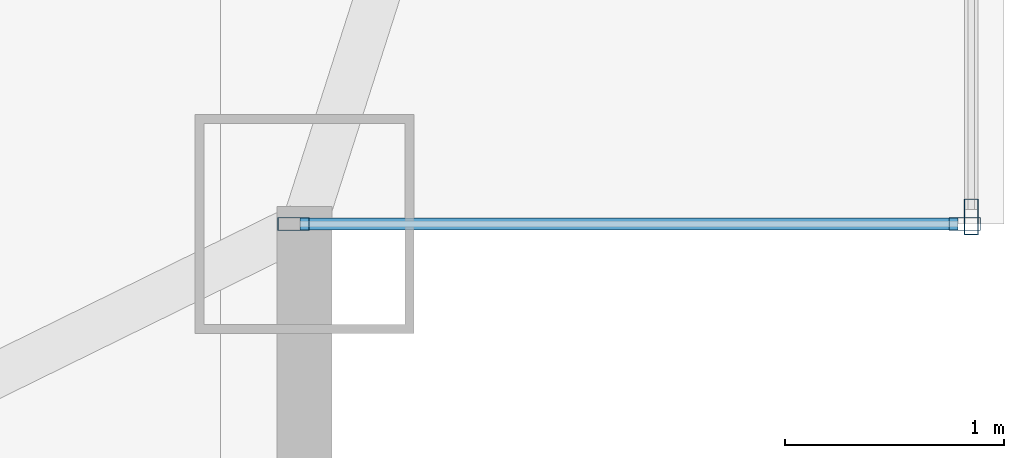
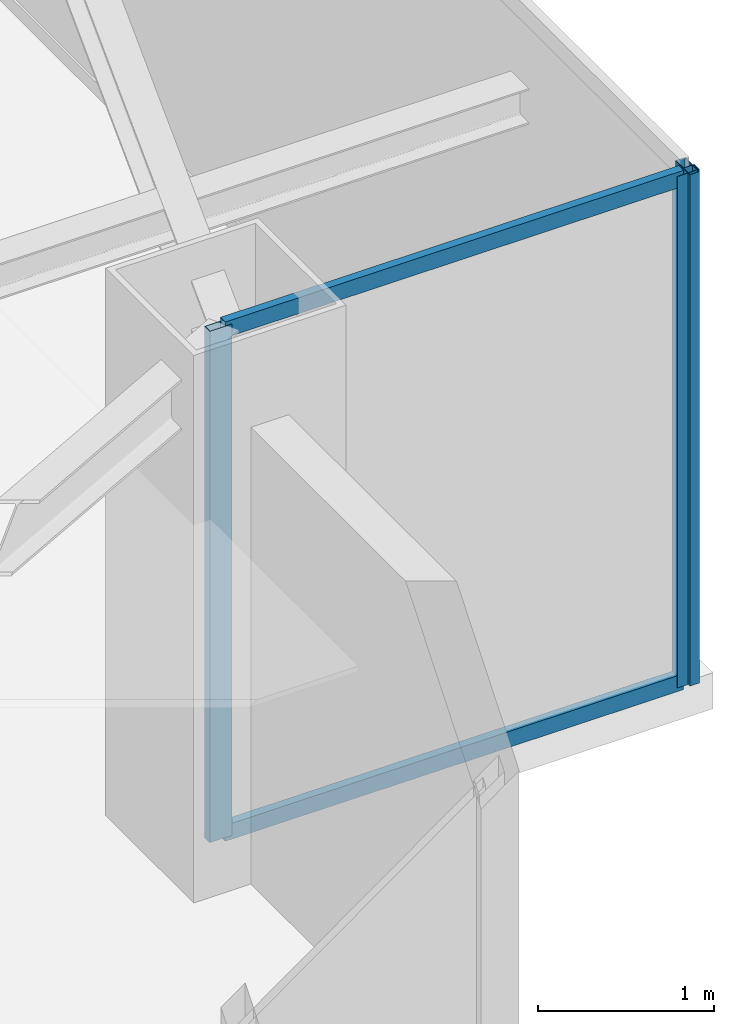
# One storey, part 12 of 23: 5 members, 2 elements without a shape of their own.
"""IFC4 building model written with IfcOpenShell, lengths in metres."""

import ifcopenshell
import ifcopenshell.guid

model = None  # the IFC model being written
_history = None  # IfcOwnerHistory: only IFC2X3 demands one
_inside = {}  # id of a spatial element -> (the spatial element, [elements in it])
_under = {}  # id of a project, library or spatial element -> (it, [spatial elements below it])
_declared = {}  # id of a project -> (the project, [libraries it declares])
_typed = {}  # id of a type object -> (the type object, [elements of that type])
_made_of = {}  # id of a material, layer set ... -> (it, [elements and type objects made of it])


def new_model(schema):
    """Start an empty IFC model of exactly this schema.

    Asked for "IFC4X3", IfcOpenShell would pick the latest addendum, in which some entities
    have other attributes; the version numbers below select the first issue.
    IFC2X3 requires an IfcOwnerHistory on every rooted entity: one is made here for all.
    """
    global model, _history
    if schema == "IFC4X3":
        model = ifcopenshell.file(schema_version=(4, 3, 0, 0))
    else:
        model = ifcopenshell.file(schema=schema)
    _inside.clear()
    _under.clear()
    _declared.clear()
    _typed.clear()
    _made_of.clear()
    _history = None
    if model.schema == "IFC2X3":
        org = make("IfcOrganization", Name="unknown")
        user = make(
            "IfcPersonAndOrganization",
            ThePerson=make("IfcPerson", FamilyName="unknown"),
            TheOrganization=org,
        )
        app = make(
            "IfcApplication",
            ApplicationDeveloper=org,
            Version="unknown",
            ApplicationFullName="unknown",
            ApplicationIdentifier="unknown",
        )
        _history = make(
            "IfcOwnerHistory",
            OwningUser=user,
            OwningApplication=app,
            ChangeAction="ADDED",
            CreationDate=0,
        )
    return model


def make(cls, **values):
    """One entity of the class cls with the attributes given. An attribute that is None is left unset."""
    return model.create_entity(
        cls, **{name: value for name, value in values.items() if value is not None}
    )


def rooted(cls, **values):
    """An entity with a GlobalId (a new one), such as an element, a storey or a relation."""
    return make(cls, GlobalId=ifcopenshell.guid.new(), OwnerHistory=_history, **values)


def si_unit(unit_type, name, prefix=None):
    """IfcSIUnit, for example si_unit("LENGTHUNIT", "METRE", prefix="MILLI")."""
    return make("IfcSIUnit", UnitType=unit_type, Prefix=prefix, Name=name)


def assignment(units):
    """IfcUnitAssignment: the units of a project."""
    return None if units is None else make("IfcUnitAssignment", Units=units)


def point(xyz):
    """IfcCartesianPoint."""
    return None if xyz is None else make("IfcCartesianPoint", Coordinates=xyz)


def direction(xyz):
    """IfcDirection."""
    return None if xyz is None else make("IfcDirection", DirectionRatios=xyz)


def frame(location, z_axis=None, x_axis=None):
    """IfcAxis2Placement3D, a coordinate frame: its origin and axes. An axis left out is left unset."""
    return make(
        "IfcAxis2Placement3D",
        Location=point(location),
        Axis=direction(z_axis),
        RefDirection=direction(x_axis),
    )


def frame_2d(location, x_axis=None):
    """IfcAxis2Placement2D, a coordinate frame in the plane: its origin and x axis."""
    return make(
        "IfcAxis2Placement2D", Location=point(location), RefDirection=direction(x_axis)
    )


def origin():
    """The frame at (0, 0, 0) with its axes left unset."""
    return frame((0.0, 0.0, 0.0))


def origin_2d():
    """The frame at (0, 0) in the plane with its x axis left unset."""
    return frame_2d((0.0, 0.0))


def place(relative_to, where):
    """IfcLocalPlacement: puts the frame where relative to a parent placement (None: the world)."""
    return make(
        "IfcLocalPlacement", PlacementRelTo=relative_to, RelativePlacement=where
    )


def context(
    kind, dimensions, precision=None, world=None, true_north=None, identifier=None
):
    """IfcGeometricRepresentationContext, for example the 3D "Model" context."""
    return make(
        "IfcGeometricRepresentationContext",
        ContextIdentifier=identifier,
        ContextType=kind,
        CoordinateSpaceDimension=dimensions,
        Precision=precision,
        WorldCoordinateSystem=world,
        TrueNorth=true_north,
    )


def subcontext(parent, identifier, kind, view, scale=None):
    """IfcGeometricRepresentationSubContext, for example "Body" below "Model"."""
    return make(
        "IfcGeometricRepresentationSubContext",
        ContextIdentifier=identifier,
        ContextType=kind,
        ParentContext=parent,
        TargetScale=scale,
        TargetView=view,
    )


def project(units=None, contexts=None):
    """IfcProject with its units and contexts."""
    return rooted(
        "IfcProject",
        Name="project",
        RepresentationContexts=contexts,
        UnitsInContext=assignment(units),
    )


def spatial(cls, under=None, at=None, **own):
    """A site, building, storey or space (cls), placed at a placement, below another one or the project."""
    s = rooted(cls, ObjectPlacement=at, **own)
    if under is not None:
        _under.setdefault(under.id(), (under, []))[1].append(s)
    return s


def profile(cls, at=None, kind="AREA", **sizes):
    """A parametric profile (cls). Its sizes go by their IFC names, for example OverallWidth=200.0."""
    return make(cls, ProfileType=kind, Position=at, **sizes)


def hollow_rectangle(**sizes):
    """IfcRectangleHollowProfileDef."""
    return profile("IfcRectangleHollowProfileDef", **sizes)


def extrude(swept, where, along, depth):
    """IfcExtrudedAreaSolid: the profile swept, set in the frame where, extruded along a direction by depth."""
    return make(
        "IfcExtrudedAreaSolid",
        SweptArea=swept,
        Position=where,
        ExtrudedDirection=direction(along),
        Depth=depth,
    )


def shape(context_of_items, identifier, shape_type, items):
    """IfcShapeRepresentation: the items that make up one representation, for example the "Body"."""
    return make(
        "IfcShapeRepresentation",
        ContextOfItems=context_of_items,
        RepresentationIdentifier=identifier,
        RepresentationType=shape_type,
        Items=items,
    )


def source(mapping_origin, context_of_items, identifier, shape_type, items):
    """IfcRepresentationMap: a shape defined once, which mapped items show again and again."""
    return make(
        "IfcRepresentationMap",
        MappingOrigin=mapping_origin,
        MappedRepresentation=shape(context_of_items, identifier, shape_type, items),
    )


def transform(
    local_origin,
    x_axis=None,
    y_axis=None,
    z_axis=None,
    scale=None,
    scale2=None,
    scale3=None,
    uniform=True,
):
    """IfcCartesianTransformationOperator3D, or its non-uniform kind. x_axis, y_axis, z_axis: its Axis1, 2, 3."""
    if uniform:
        return make(
            "IfcCartesianTransformationOperator3D",
            Axis1=direction(x_axis),
            Axis2=direction(y_axis),
            LocalOrigin=point(local_origin),
            Scale=scale,
            Axis3=direction(z_axis),
        )
    return make(
        "IfcCartesianTransformationOperator3DnonUniform",
        Axis1=direction(x_axis),
        Axis2=direction(y_axis),
        LocalOrigin=point(local_origin),
        Scale=scale,
        Axis3=direction(z_axis),
        Scale2=scale2,
        Scale3=scale3,
    )


def mapped(mapping_source, mapping_target):
    """IfcMappedItem: shows the shape of a source again, moved by a transform."""
    return make(
        "IfcMappedItem", MappingSource=mapping_source, MappingTarget=mapping_target
    )


def material(Name=None, Category=None):
    """IfcMaterial."""
    return make("IfcMaterial", Name=Name, Category=Category)


def layer(
    of_material, thickness, ventilated=None, Name=None, Category=None, Priority=None
):
    """IfcMaterialLayer: one layer of a wall or slab, of a material (None: an air gap)."""
    return make(
        "IfcMaterialLayer",
        Material=of_material,
        LayerThickness=thickness,
        IsVentilated=ventilated,
        Name=Name,
        Category=Category,
        Priority=Priority,
    )


def layer_set(layers, Name=None):
    """IfcMaterialLayerSet."""
    return make("IfcMaterialLayerSet", MaterialLayers=layers, LayerSetName=Name)


def material_profile(
    of_material, cross_section, Name=None, Category=None, Priority=None
):
    """IfcMaterialProfile: a cross section and its material."""
    return make(
        "IfcMaterialProfile",
        Name=Name,
        Material=of_material,
        Profile=cross_section,
        Priority=Priority,
        Category=Category,
    )


def profile_set(profiles, Name=None, composite=None):
    """IfcMaterialProfileSet."""
    return make(
        "IfcMaterialProfileSet",
        Name=Name,
        MaterialProfiles=profiles,
        CompositeProfile=composite,
    )


def made_of(thing, what):
    """Note that an element or type object is made of a material, layer set ...; save() writes the relation."""
    if what is not None:
        _made_of.setdefault(what.id(), (what, []))[1].append(thing)
    return thing


def type_object(cls, material=None, **own):
    """A type object (cls), such as IfcWallType, which elements share."""
    return made_of(rooted(cls, **own), material)


def type_shapes(of_type, sources):
    """Give a type object the sources (RepresentationMaps) that its elements show as mapped items."""
    of_type.RepresentationMaps = sources


def element(
    cls,
    number,
    at=None,
    inside=None,
    cuts=None,
    type_object=None,
    material=None,
    context=None,
    identifier="Body",
    shape_type=None,
    held_by="IfcProductDefinitionShape",
    body=None,
    shapes=None,
    **own,
):
    """One element of the class cls, such as IfcWall. Its Tag is "e" and its number.

    at: its placement. inside: the storey or other place that contains it. cuts: it is an
    opening in that element (IfcRelVoidsElement). A single representation is given by context,
    identifier, shape_type and body (its items); several are given by shapes. held_by: the class
    of the entity that holds the representations. save() writes the other relations.
    """
    e = rooted(cls, Tag="e%d" % number, ObjectPlacement=at, **own)
    if body is not None:
        shapes = [shape(context, identifier, shape_type, body)]
    if shapes is not None:
        e.Representation = make(held_by, Representations=shapes)
    if inside is not None:
        _inside.setdefault(inside.id(), (inside, []))[1].append(e)
    if cuts is not None:
        rooted(
            "IfcRelVoidsElement", RelatingBuildingElement=cuts, RelatedOpeningElement=e
        )
    if type_object is not None:
        _typed.setdefault(type_object.id(), (type_object, []))[1].append(e)
    return made_of(e, material)


def aggregate(whole, parts):
    """IfcRelAggregates: a whole, such as a stair, and the parts it consists of."""
    return rooted("IfcRelAggregates", RelatingObject=whole, RelatedObjects=parts)


def save(model, path):
    """Write the relations noted so far, then the file.

    IfcRelAggregates (storeys below a building ...), IfcRelContainedInSpatialStructure (elements
    in a storey), IfcRelDefinesByType, IfcRelAssociatesMaterial and IfcRelDeclares: one each for
    every whole, place, type object, material and project.
    """
    for whole, parts in _under.values():
        aggregate(whole, parts)
    for where, things in _inside.values():
        rooted(
            "IfcRelContainedInSpatialStructure",
            RelatedElements=things,
            RelatingStructure=where,
        )
    for kind, things in _typed.values():
        rooted("IfcRelDefinesByType", RelatedObjects=things, RelatingType=kind)
    for what, things in _made_of.values():
        rooted("IfcRelAssociatesMaterial", RelatedObjects=things, RelatingMaterial=what)
    for by, libraries in _declared.values():
        rooted("IfcRelDeclares", RelatingContext=by, RelatedDefinitions=libraries)
    model.write(path)


model = new_model("IFC4")

# Units and contexts
model_context = context("Model", 3, precision=1e-05, world=origin(), true_north=direction((0.0, 1.0)))
body_context = subcontext(model_context, "Body", "Model", "MODEL_VIEW")
ifc_project = project(units=[si_unit("LENGTHUNIT", "METRE"), si_unit("AREAUNIT", "SQUARE_METRE"), si_unit("VOLUMEUNIT", "CUBIC_METRE"), si_unit("PLANEANGLEUNIT", "RADIAN"), si_unit("MASSUNIT", "GRAM", prefix="KILO")], contexts=[model_context])

# Site, building, storey
site_placement = place(None, origin())
site = spatial("IfcSite", under=ifc_project, at=site_placement, CompositionType="ELEMENT")
building_placement = place(site_placement, origin())
building = spatial("IfcBuilding", under=site, at=building_placement, Name="Varnel Quay Broadcast Tower", CompositionType="ELEMENT")
storey_placement = place(building_placement, frame((0.0, 0.0, 266.0)))
storey = spatial("IfcBuildingStorey", under=building, at=storey_placement, Name="L66", CompositionType="ELEMENT", Elevation=266.0)

# Curtain wall, members
ifc_material = material(Name="Anodised Bronze Aluminium 6063-T6", Category="aluminium")
ifc_layer_1 = layer(ifc_material, 0.18994140625, Name="Anodised Bronze Aluminium 6063-T6")
ifc_layer_set_1 = layer_set([ifc_layer_1], Name="Anodised Bronze Aluminium 6063-T6")
curtain_wall_type_1 = type_object("IfcCurtainWallType", Name="CW_NotchCorner", PredefinedType="NOTDEFINED", material=ifc_layer_set_1)
curtain_wall_1_placement = place(storey_placement, origin())
curtain_wall_1 = element("IfcCurtainWall", 1, at=curtain_wall_1_placement, inside=storey, type_object=curtain_wall_type_1, Name="L66 SE Notch Curtain Wall", PredefinedType="NOTDEFINED")
ifc_material_profile_1 = material_profile(ifc_material, hollow_rectangle(XDim=0.06005859375, YDim=0.14501953125, WallThickness=0.00341796875, at=origin_2d()), Name="ALU60X145X3.5")
ifc_profile_set_1 = profile_set([ifc_material_profile_1], Name="Anodised Bronze Aluminium 6063-T6")
member_type_1 = type_object("IfcMemberType", Name="Mull_CWS-04", PredefinedType="MULLION", material=ifc_profile_set_1)
shared_shape_1 = source(origin(), body_context, "Body", "SweptSolid", [
    extrude(hollow_rectangle(XDim=0.06005859375, YDim=0.14501953125, WallThickness=0.00341796875, at=origin_2d()), origin(), (0.0, 0.0, 1.0), 3.550048828125),
])
type_shapes(member_type_1, [shared_shape_1])
member_1_placement = place(storey_placement, frame((52.75, 16.39990234375, 0.0), z_axis=(0.0, 0.0, 1.0), x_axis=(0.0, 1.0, 0.0)))
member_1 = element("IfcMember", 2, at=member_1_placement, type_object=member_type_1, Name="CWS-04 mullion 1", PredefinedType="MULLION", context=body_context, shape_type="MappedRepresentation", body=[
    mapped(shared_shape_1, transform((0.0, 0.0, 0.0), x_axis=(1.0, 0.0, 0.0), y_axis=(0.0, 1.0, 0.0), z_axis=(0.0, 0.0, 1.0), scale=1.0)),
])
member_2_placement = place(storey_placement, frame((55.820068359375, 16.39990234375, 0.0), z_axis=(0.0, 0.0, 1.0), x_axis=(0.0, 1.0, 0.0)))
member_2 = element("IfcMember", 3, at=member_2_placement, type_object=member_type_1, Name="CWS-04 mullion 2", PredefinedType="MULLION", context=body_context, shape_type="MappedRepresentation", body=[
    mapped(shared_shape_1, transform((0.0, 0.0, 0.0), x_axis=(1.0, 0.0, 0.0), y_axis=(0.0, 1.0, 0.0), z_axis=(0.0, 0.0, 1.0), scale=1.0)),
])

# Curtain wall, member
ifc_layer_2 = layer(ifc_material, 0.18994140625, Name="Anodised Bronze Aluminium 6063-T6")
ifc_layer_set_2 = layer_set([ifc_layer_2], Name="Anodised Bronze Aluminium 6063-T6")
curtain_wall_type_2 = type_object("IfcCurtainWallType", Name="CW_UpperTower", PredefinedType="NOTDEFINED", material=ifc_layer_set_2)
curtain_wall_2_placement = place(storey_placement, origin())
curtain_wall_2 = element("IfcCurtainWall", 4, at=curtain_wall_2_placement, inside=storey, type_object=curtain_wall_type_2, Name="L66 East Unitised Curtain Wall", PredefinedType="NOTDEFINED")
ifc_material_profile_2 = material_profile(ifc_material, hollow_rectangle(XDim=0.06494140625, YDim=0.1650390625, WallThickness=0.00341796875, at=origin_2d()), Name="ALU65X165X3.5")
ifc_profile_set_2 = profile_set([ifc_material_profile_2], Name="Anodised Bronze Aluminium 6063-T6")
member_type_2 = type_object("IfcMemberType", Name="Mull_CWS-03", PredefinedType="MULLION", material=ifc_profile_set_2)
shared_shape_2 = source(origin(), body_context, "Body", "SweptSolid", [
    extrude(hollow_rectangle(XDim=0.06494140625, YDim=0.1650390625, WallThickness=0.00341796875, at=origin_2d()), origin(), (0.0, 0.0, 1.0), 3.550048828125),
])
type_shapes(member_type_2, [shared_shape_2])
member_3_placement = place(storey_placement, frame((55.85009765625, 16.4326171875, 0.0), z_axis=(0.0, 0.0, 1.0), x_axis=(-1.0, 0.0, 0.0)))
member_3 = element("IfcMember", 5, at=member_3_placement, type_object=member_type_2, Name="CWS-03 mullion 1", PredefinedType="MULLION", context=body_context, shape_type="MappedRepresentation", body=[
    mapped(shared_shape_2, transform((0.0, 0.0, 0.0), x_axis=(1.0, 0.0, 0.0), y_axis=(0.0, 1.0, 0.0), z_axis=(0.0, 0.0, 1.0), scale=1.0)),
])
aggregate(curtain_wall_2, [member_3])

# Member
ifc_material_profile_3 = material_profile(ifc_material, hollow_rectangle(XDim=0.054931640625, YDim=0.110107421875, WallThickness=0.0029296875, at=origin_2d()), Name="ALU55X110X3")
ifc_profile_set_3 = profile_set([ifc_material_profile_3], Name="Anodised Bronze Aluminium 6063-T6")
member_type_3 = type_object("IfcMemberType", Name="Tran_CWS-04", PredefinedType="USERDEFINED", material=ifc_profile_set_3)
shared_shape_3 = source(origin(), body_context, "Body", "SweptSolid", [
    extrude(hollow_rectangle(XDim=0.054931640625, YDim=0.110107421875, WallThickness=0.0029296875, at=origin_2d()), origin(), (0.0, 0.0, 1.0), 3.010009765625),
])
type_shapes(member_type_3, [shared_shape_3])
member_4_placement = place(storey_placement, frame((52.780029296875, 16.39990234375, 0.027587890625), z_axis=(1.0, 0.0, 0.0), x_axis=(0.0, 1.0, 0.0)))
member_4 = element("IfcMember", 6, at=member_4_placement, type_object=member_type_3, Name="CWS-04 transom 1.1", ObjectType="TRANSOM", PredefinedType="USERDEFINED", context=body_context, shape_type="MappedRepresentation", body=[
    mapped(shared_shape_3, transform((0.0, 0.0, 0.0), x_axis=(1.0, 0.0, 0.0), y_axis=(0.0, 1.0, 0.0), z_axis=(0.0, 0.0, 1.0), scale=1.0)),
])

member_5_placement = place(storey_placement, frame((52.780029296875, 16.39990234375, 3.5224609375), z_axis=(1.0, 0.0, 0.0), x_axis=(0.0, 1.0, 0.0)))
member_5 = element("IfcMember", 7, at=member_5_placement, type_object=member_type_3, Name="CWS-04 transom 1.2", ObjectType="TRANSOM", PredefinedType="USERDEFINED", context=body_context, shape_type="MappedRepresentation", body=[
    mapped(shared_shape_3, transform((0.0, 0.0, 0.0), x_axis=(1.0, 0.0, 0.0), y_axis=(0.0, 1.0, 0.0), z_axis=(0.0, 0.0, 1.0), scale=1.0)),
])

aggregate(curtain_wall_1, [member_1, member_2, member_4, member_5])

save(model, "model.ifc")
